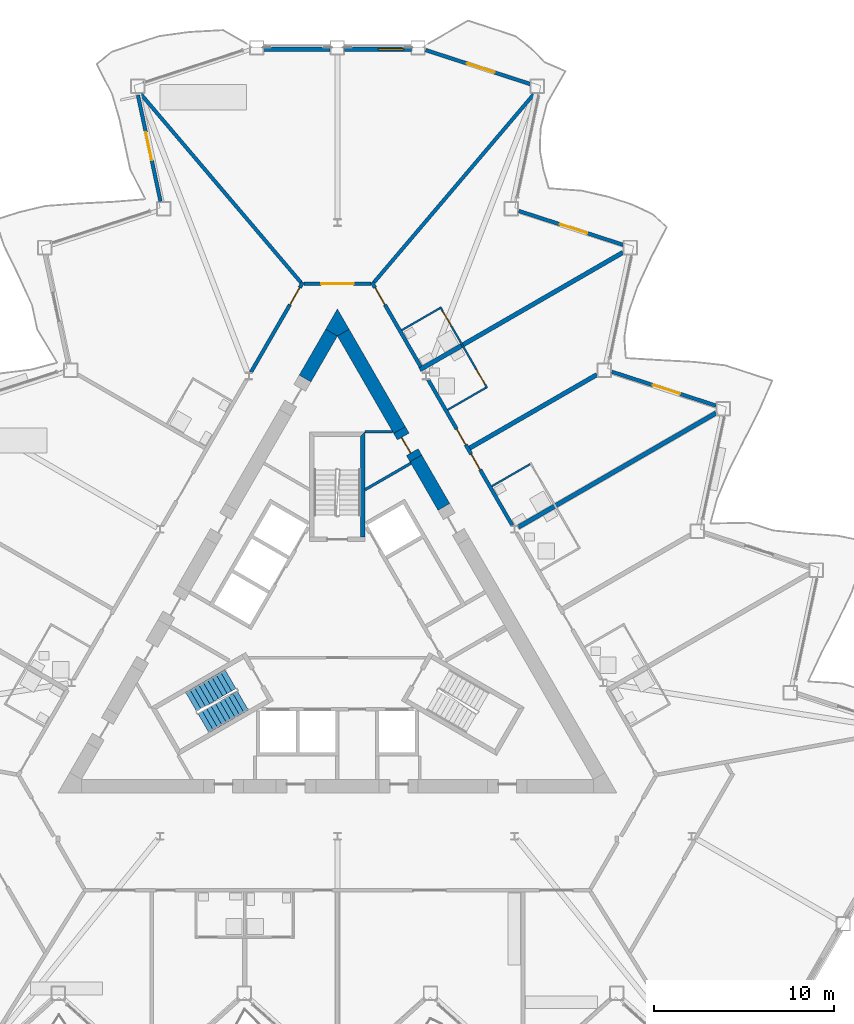
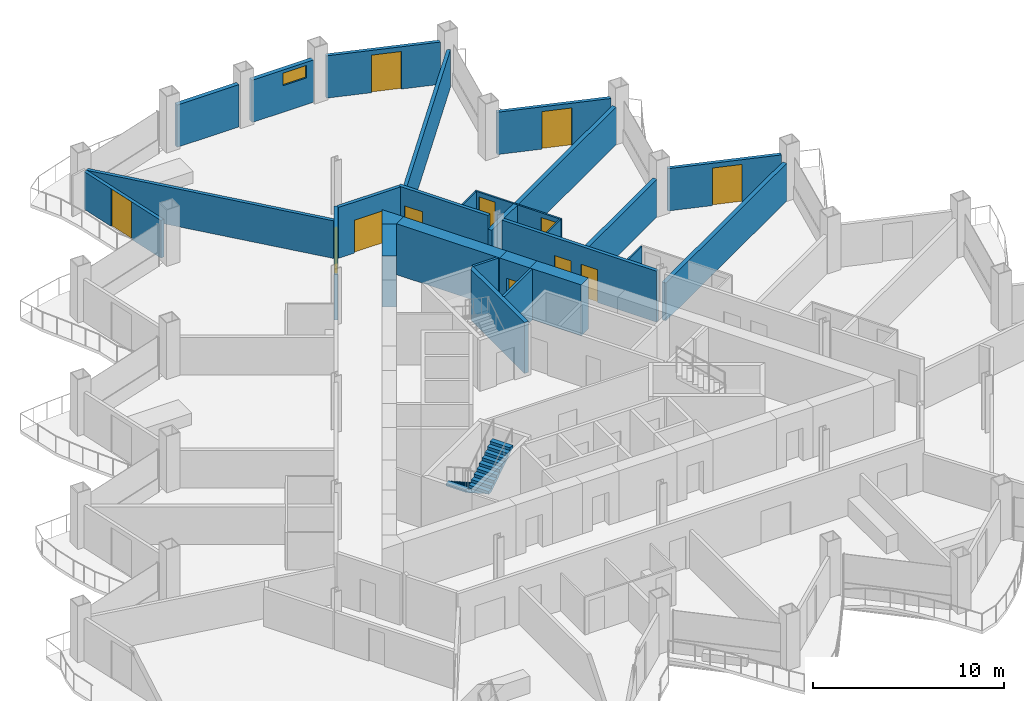
# One storey, part 15 of 24: 27 walls, 12 doors, 2 stair flights, 1 window, 13 openings, 1 element without a shape of its own.
"""IFC4 building model written with IfcOpenShell, lengths in metres."""

from ifc_helpers import new_model, si_unit, direction, frame, frame_2d, origin, place, context, subcontext, project, spatial, polyline, rectangle, outline, extrude, material, layer, layer_set, type_object, element, fill, aggregate, save


model = new_model("IFC4")

# Units and contexts
model_context = context("Model", 3, precision=1e-05, world=origin(), true_north=direction((0.0, 1.0)))
body_context = subcontext(model_context, "Body", "Model", "MODEL_VIEW")
ifc_project = project(units=[si_unit("LENGTHUNIT", "METRE"), si_unit("AREAUNIT", "SQUARE_METRE"), si_unit("VOLUMEUNIT", "CUBIC_METRE"), si_unit("PLANEANGLEUNIT", "RADIAN"), si_unit("MASSUNIT", "GRAM", prefix="KILO")], contexts=[model_context])

# Site, building, storey
site_placement = place(None, origin())
site = spatial("IfcSite", under=ifc_project, at=site_placement, CompositionType="ELEMENT")
building_placement = place(site_placement, origin())
building = spatial("IfcBuilding", under=site, at=building_placement, Name="Cormorant Prow Tower", CompositionType="ELEMENT")
storey_placement = place(building_placement, frame((0.0, 0.0, 201.60009765625)))
storey = spatial("IfcBuildingStorey", under=building, at=storey_placement, Name="L44", CompositionType="ELEMENT", Elevation=201.60009765625)

# Walls
ifc_material_1 = material(Name="Gypsum board partition")
ifc_layer_1 = layer(ifc_material_1, 0.14990234375)
ifc_layer_set_1 = layer_set([ifc_layer_1], Name="Gypsum board partition")
wall_type_1 = type_object("IfcWallType", Name="Core partition 150", PredefinedType="PARTITIONING", material=ifc_layer_set_1)
wall_1_placement = place(storey_placement, frame((4.0751953125, 9.33935546875, 0.0), z_axis=(0.0, 0.0, 1.0), x_axis=(-0.865995658863, -0.500051516177, 0.0)))
element("IfcWall", 1, at=wall_1_placement, inside=storey, type_object=wall_type_1, Name="Service room partition", PredefinedType="PARTITIONING", context=body_context, shape_type="SweptSolid", body=[
    extrude(rectangle(XDim=2.932861328125, YDim=0.14990234375, at=frame_2d((1.46630859375, 0.0))), origin(), (0.0, 0.0, 1.0), 3.25),
])
wall_2_placement = place(storey_placement, frame((1.5439453125, 11.0869140625, 0.0), z_axis=(0.0, 0.0, 1.0), x_axis=(1.0, 0.0, 0.0)))
element("IfcWall", 2, at=wall_2_placement, inside=storey, type_object=wall_type_1, Name="Service room partition", PredefinedType="PARTITIONING", context=body_context, shape_type="SweptSolid", body=[
    extrude(rectangle(XDim=1.5224609375, YDim=0.14990234375, at=frame_2d((0.76123046875, 0.0))), origin(), (0.0, 0.0, 1.0), 3.25),
])
ifc_material_2 = material(Name="Concrete 8000 psi", Category="concrete")
ifc_layer_2 = layer(ifc_material_2, 0.75)
ifc_layer_set_2 = layer_set([ifc_layer_2], Name="Concrete 8000 psi")
wall_type_2 = type_object("IfcWallType", Name="Core shear wall 750", PredefinedType="SHEAR", material=ifc_layer_set_2)
wall_3_placement = place(storey_placement, frame((3.4443359375, 11.181884765625, 0.0), z_axis=(0.0, 0.0, 1.0), x_axis=(-0.499985517215, 0.866033765263, 0.0)))
element("IfcWall", 3, at=wall_3_placement, inside=storey, type_object=wall_type_2, Name="Core wall", PredefinedType="SHEAR", context=body_context, shape_type="SweptSolid", body=[
    extrude(rectangle(XDim=6.239501953125, YDim=0.75, at=frame_2d((3.11962890625, 0.0))), origin(), (0.0, 0.0, 1.0), 3.25),
])
wall_4_placement = place(storey_placement, frame((5.906494140625, 6.917724609375, 0.0), z_axis=(0.0, 0.0, 1.0), x_axis=(-0.500017123375, 0.866015517374, 0.0)))
element("IfcWall", 4, at=wall_4_placement, inside=storey, type_object=wall_type_2, Name="Core wall", PredefinedType="SHEAR", context=body_context, shape_type="SweptSolid", body=[
    extrude(rectangle(XDim=3.10791015625, YDim=0.75, at=frame_2d((1.553955078125, 0.0))), origin(), (0.0, 0.0, 1.0), 3.25),
])
wall_5_placement = place(storey_placement, frame((-0.32470703125, 16.58544921875, 0.0), z_axis=(0.0, 0.0, 1.0), x_axis=(-0.500026977578, -0.866009827712, 0.0)))
element("IfcWall", 5, at=wall_5_placement, inside=storey, type_object=wall_type_2, Name="Core wall", PredefinedType="SHEAR", context=body_context, shape_type="SweptSolid", body=[
    extrude(rectangle(XDim=2.937744140625, YDim=0.75, at=frame_2d((1.46875, 0.0))), origin(), (0.0, 0.0, 1.0), 3.25),
])
wall_6_placement = place(storey_placement, origin())
element("IfcWall", 6, at=wall_6_placement, inside=storey, type_object=wall_type_2, Name="Core wall corner", PredefinedType="SHEAR", context=body_context, shape_type="SweptSolid", body=[
    extrude(outline(polyline([(-0.6494140625, 16.77294921875), (0.0, 17.89794921875), (0.6494140625, 16.77294921875), (0.0, 16.39794921875), (-0.6494140625, 16.77294921875)])), origin(), (0.0, 0.0, 1.0), 3.25),
])

# Wall, opening, door
wall_7_placement = place(storey_placement, frame((4.3525390625, 9.609130859375, 0.0), z_axis=(0.0, 0.0, 1.0), x_axis=(-0.500071537347, 0.865984097738, 0.0)))
wall_7 = element("IfcWall", 7, at=wall_7_placement, inside=storey, type_object=wall_type_2, Name="Core wall door panel", PredefinedType="SHEAR", context=body_context, shape_type="SweptSolid", body=[
    extrude(rectangle(XDim=1.816162109375, YDim=0.75, at=frame_2d((0.908203125, 0.0))), origin(), (0.0, 0.0, 1.0), 3.25),
])
opening_1_placement = place(wall_7_placement, frame((0.39990234375, 0.0, 0.0)))
opening_1 = element("IfcOpeningElement", 8, at=opening_1_placement, cuts=wall_7, Name="Opening L44-C23", PredefinedType="OPENING", context=body_context, shape_type="SweptSolid", body=[
    extrude(rectangle(XDim=1.0, YDim=2.10009765625, at=frame_2d((0.5, 1.050048828125))), frame((0.0, 0.385009765625, 0.0), z_axis=(0.0, -1.0, 0.0), x_axis=(1.0, 0.0, 0.0)), (0.0, 0.0, 1.0), 0.77001953125),
])
ifc_material_3 = material(Name="Painted steel", Category="steel")
door_type_1 = type_object("IfcDoorType", Name="Service door 1000x2100", OperationType="NOTDEFINED", PredefinedType="DOOR", material=ifc_material_3)
door_1_placement = place(opening_1_placement, origin())
door_1 = element("IfcDoor", 9, at=door_1_placement, inside=storey, type_object=door_type_1, Name="Core door, Mechanical riser room", OperationType="SINGLE_SWING_LEFT", OverallHeight=2.10009765625, OverallWidth=1.0, PredefinedType="DOOR", context=body_context, shape_type="SweptSolid", body=[
    extrude(rectangle(XDim=1.0, YDim=2.10009765625, at=frame_2d((0.5, 1.050048828125))), frame((0.0, 0.1298828125, 0.0), z_axis=(0.0, -1.0, 0.0), x_axis=(1.0, 0.0, 0.0)), (0.0, 0.0, 1.0), 0.050048828125),
])
fill(opening_1, door_1)

# Wall, openings, doors
ifc_material_4 = material(Name="Gypsum board corridor wall")
ifc_layer_3 = layer(ifc_material_4, 0.199951171875)
ifc_layer_set_3 = layer_set([ifc_layer_3], Name="Gypsum board corridor wall")
wall_type_3 = type_object("IfcWallType", Name="Corridor wall 200", PredefinedType="PARTITIONING", material=ifc_layer_set_3)
wall_8_placement = place(storey_placement, frame((5.03759765625, 13.972412109375, 0.0), z_axis=(0.0, 0.0, 1.0), x_axis=(0.50000393355, -0.866023132736, 0.0)))
wall_8 = element("IfcWall", 10, at=wall_8_placement, inside=storey, type_object=wall_type_3, Name="Corridor wall", PredefinedType="PARTITIONING", context=body_context, shape_type="SweptSolid", body=[
    extrude(rectangle(XDim=9.3349609375, YDim=0.199951171875, at=frame_2d((4.66748046875, 0.0))), origin(), (0.0, 0.0, 1.0), 3.25),
])
opening_2_placement = place(wall_8_placement, frame((4.770263671875, 0.0, 0.0)))
opening_2 = element("IfcOpeningElement", 11, at=opening_2_placement, cuts=wall_8, Name="Opening L44-F16", PredefinedType="OPENING", context=body_context, shape_type="SweptSolid", body=[
    extrude(rectangle(XDim=1.0, YDim=2.10009765625, at=frame_2d((0.5, 1.050048828125))), frame((0.0, 0.10986328125, 0.0), z_axis=(0.0, -1.0, 0.0), x_axis=(1.0, 0.0, 0.0)), (0.0, 0.0, 1.0), 0.219970703125),
])
opening_3_placement = place(wall_8_placement, frame((3.1630859375, 0.0, 0.0)))
opening_3 = element("IfcOpeningElement", 12, at=opening_3_placement, cuts=wall_8, Name="Opening L44-F18", PredefinedType="OPENING", context=body_context, shape_type="SweptSolid", body=[
    extrude(rectangle(XDim=1.0, YDim=2.10009765625, at=frame_2d((0.5, 1.050048828125))), frame((0.0, 0.10986328125, 0.0), z_axis=(0.0, -1.0, 0.0), x_axis=(1.0, 0.0, 0.0)), (0.0, 0.0, 1.0), 0.219970703125),
])
ifc_material_5 = material(Name="Timber door leaf", Category="wood")
door_type_2 = type_object("IfcDoorType", Name="Flat or room entrance door 1000x2100", OperationType="NOTDEFINED", PredefinedType="DOOR", material=ifc_material_5)
door_2_placement = place(opening_2_placement, origin())
door_2 = element("IfcDoor", 13, at=door_2_placement, inside=storey, type_object=door_type_2, Name="Guest room door", OperationType="SINGLE_SWING_LEFT", OverallHeight=2.10009765625, OverallWidth=1.0, PredefinedType="DOOR", context=body_context, shape_type="SweptSolid", body=[
    extrude(rectangle(XDim=1.0, YDim=2.10009765625, at=frame_2d((0.5, 1.050048828125))), frame((0.0, 0.02490234375, 0.0), z_axis=(0.0, -1.0, 0.0), x_axis=(1.0, 0.0, 0.0)), (0.0, 0.0, 1.0), 0.050048828125),
])
fill(opening_2, door_2)
door_3_placement = place(opening_3_placement, origin())
door_3 = element("IfcDoor", 14, at=door_3_placement, inside=storey, type_object=door_type_2, Name="Guest room door", OperationType="SINGLE_SWING_RIGHT", OverallHeight=2.10009765625, OverallWidth=1.0, PredefinedType="DOOR", context=body_context, shape_type="SweptSolid", body=[
    extrude(rectangle(XDim=1.0, YDim=2.10009765625, at=frame_2d((0.5, 1.050048828125))), frame((0.0, 0.02490234375, 0.0), z_axis=(0.0, -1.0, 0.0), x_axis=(1.0, 0.0, 0.0)), (0.0, 0.0, 1.0), 0.050048828125),
])
fill(opening_3, door_3)

# Wall, opening, door
wall_9_placement = place(storey_placement, frame((-4.791015625, 14.39990234375, 0.0), z_axis=(0.0, 0.0, 1.0), x_axis=(0.50000762079, 0.866021003874, 0.0)))
wall_9 = element("IfcWall", 15, at=wall_9_placement, inside=storey, type_object=wall_type_3, Name="Corridor wall", PredefinedType="PARTITIONING", context=body_context, shape_type="SweptSolid", body=[
    extrude(rectangle(XDim=5.755859375, YDim=0.199951171875, at=frame_2d((2.8779296875, 0.0))), origin(), (0.0, 0.0, 1.0), 3.25),
])
opening_4_placement = place(wall_9_placement, frame((4.304443359375, 0.0, 0.0)))
opening_4 = element("IfcOpeningElement", 16, at=opening_4_placement, cuts=wall_9, Name="Opening L44-F23", PredefinedType="OPENING", context=body_context, shape_type="SweptSolid", body=[
    extrude(rectangle(XDim=1.10009765625, YDim=2.10009765625, at=frame_2d((0.550048828125, 1.050048828125))), frame((0.0, 0.10986328125, 0.0), z_axis=(0.0, -1.0, 0.0), x_axis=(1.0, 0.0, 0.0)), (0.0, 0.0, 1.0), 0.219970703125),
])
ifc_material_6 = material(Name="Timber door leaf", Category="wood")
door_type_3 = type_object("IfcDoorType", Name="Suite entrance door 1100x2100", OperationType="NOTDEFINED", PredefinedType="DOOR", material=ifc_material_6)
door_4_placement = place(opening_4_placement, origin())
door_4 = element("IfcDoor", 17, at=door_4_placement, inside=storey, type_object=door_type_3, Name="Executive suite bedroom door", OperationType="SINGLE_SWING_RIGHT", OverallHeight=2.10009765625, OverallWidth=1.10009765625, PredefinedType="DOOR", context=body_context, shape_type="SweptSolid", body=[
    extrude(rectangle(XDim=1.10009765625, YDim=2.10009765625, at=frame_2d((0.550048828125, 1.050048828125))), frame((0.0, 0.02490234375, 0.0), z_axis=(0.0, -1.0, 0.0), x_axis=(1.0, 0.0, 0.0)), (0.0, 0.0, 1.0), 0.050048828125),
])
fill(opening_4, door_4)

wall_10_placement = place(storey_placement, frame((1.9130859375, 19.384521484375, 0.0), z_axis=(0.0, 0.0, 1.0), x_axis=(0.499961611314, -0.866047566368, 0.0)))
wall_10 = element("IfcWall", 18, at=wall_10_placement, inside=storey, type_object=wall_type_3, Name="Corridor wall", PredefinedType="PARTITIONING", context=body_context, shape_type="SweptSolid", body=[
    extrude(rectangle(XDim=5.419921875, YDim=0.199951171875, at=frame_2d((2.7099609375, 0.0))), origin(), (0.0, 0.0, 1.0), 3.25),
])
opening_5_placement = place(wall_10_placement, frame((0.3505859375, 0.0, 0.0)))
opening_5 = element("IfcOpeningElement", 19, at=opening_5_placement, cuts=wall_10, Name="Opening L44-F20", PredefinedType="OPENING", context=body_context, shape_type="SweptSolid", body=[
    extrude(rectangle(XDim=1.10009765625, YDim=2.10009765625, at=frame_2d((0.550048828125, 1.050048828125))), frame((0.0, 0.10986328125, 0.0), z_axis=(0.0, -1.0, 0.0), x_axis=(1.0, 0.0, 0.0)), (0.0, 0.0, 1.0), 0.219970703125),
])
door_5_placement = place(opening_5_placement, origin())
door_5 = element("IfcDoor", 20, at=door_5_placement, inside=storey, type_object=door_type_3, Name="Junior suite door", OperationType="SINGLE_SWING_LEFT", OverallHeight=2.10009765625, OverallWidth=1.10009765625, PredefinedType="DOOR", context=body_context, shape_type="SweptSolid", body=[
    extrude(rectangle(XDim=1.10009765625, YDim=2.10009765625, at=frame_2d((0.550048828125, 1.050048828125))), frame((0.0, 0.02490234375, 0.0), z_axis=(0.0, -1.0, 0.0), x_axis=(1.0, 0.0, 0.0)), (0.0, 0.0, 1.0), 0.050048828125),
])
fill(opening_5, door_5)

wall_11_placement = place(storey_placement, frame((-1.863037109375, 19.2978515625, 0.0), z_axis=(0.0, 0.0, 1.0), x_axis=(1.0, 0.0, 0.0)))
wall_11 = element("IfcWall", 21, at=wall_11_placement, inside=storey, type_object=wall_type_3, Name="Corridor wall", PredefinedType="PARTITIONING", context=body_context, shape_type="SweptSolid", body=[
    extrude(rectangle(XDim=3.72607421875, YDim=0.199951171875, at=frame_2d((1.863037109375, 0.0))), origin(), (0.0, 0.0, 1.0), 3.25),
])
opening_6_placement = place(wall_11_placement, frame((0.962890625, 0.0, 0.0)))
opening_6 = element("IfcOpeningElement", 22, at=opening_6_placement, cuts=wall_11, Name="Opening L44-F22", PredefinedType="OPENING", context=body_context, shape_type="SweptSolid", body=[
    extrude(rectangle(XDim=1.800048828125, YDim=2.10009765625, at=frame_2d((0.89990234375, 1.050048828125))), frame((0.0, 0.10986328125, 0.0), z_axis=(0.0, -1.0, 0.0), x_axis=(1.0, 0.0, 0.0)), (0.0, 0.0, 1.0), 0.219970703125),
])
ifc_material_7 = material(Name="Timber door leaf", Category="wood")
door_type_4 = type_object("IfcDoorType", Name="Double door 1800x2100", OperationType="DOUBLE_DOOR_SINGLE_SWING", PredefinedType="DOOR", material=ifc_material_7)
door_6_placement = place(opening_6_placement, origin())
door_6 = element("IfcDoor", 23, at=door_6_placement, inside=storey, type_object=door_type_4, Name="Co-working space door", OperationType="DOUBLE_DOOR_SINGLE_SWING", OverallHeight=2.10009765625, OverallWidth=1.800048828125, PredefinedType="DOOR", context=body_context, shape_type="SweptSolid", body=[
    extrude(rectangle(XDim=1.800048828125, YDim=2.10009765625, at=frame_2d((0.89990234375, 1.050048828125))), frame((0.0, 0.02490234375, 0.0), z_axis=(0.0, -1.0, 0.0), x_axis=(1.0, 0.0, 0.0)), (0.0, 0.0, 1.0), 0.050048828125),
])
fill(opening_6, door_6)

# Walls
ifc_material_8 = material(Name="Gypsum board demising wall")
ifc_layer_4 = layer(ifc_material_8, 0.199951171875)
ifc_layer_set_4 = layer_set([ifc_layer_4], Name="Gypsum board demising wall")
wall_type_4 = type_object("IfcWallType", Name="Demising wall 200", PredefinedType="PARTITIONING", material=ifc_layer_set_4)
for number, where, z_axis, x_axis, name in (
    (24, (2.02783203125, 19.3740234375, 0.0), (0.0, 0.0, 1.0), (0.647497756192, 0.762067356423, 0.0), "Demising wall"),
    (25, (-10.921875, 29.841796875, 0.0), (0.0, 0.0, 1.0), (0.647497756192, -0.762067356423, 0.0), "Demising wall"),
):
    element("IfcWall", number, at=place(storey_placement, frame(where, z_axis=z_axis, x_axis=x_axis)), inside=storey, type_object=wall_type_4, Name=name, PredefinedType="PARTITIONING", context=body_context, shape_type="SweptSolid", body=[
        extrude(rectangle(XDim=13.736083984375, YDim=0.199951171875, at=frame_2d((6.8681640625, 0.0))), origin(), (0.0, 0.0, 1.0), 2.404052734375),
    ])

# Wall, openings, doors
ifc_material_9 = material(Name="Gypsum board partition")
ifc_layer_5 = layer(ifc_material_9, 0.10009765625)
ifc_layer_set_5 = layer_set([ifc_layer_5], Name="Gypsum board partition")
wall_type_5 = type_object("IfcWallType", Name="Internal partition 100", PredefinedType="PARTITIONING", material=ifc_layer_set_5)
wall_12_placement = place(storey_placement, frame((5.70703125, 18.012939453125, 0.0), z_axis=(0.0, 0.0, 1.0), x_axis=(0.500006934395, -0.866021400173, 0.0)))
wall_12 = element("IfcWall", 26, at=wall_12_placement, inside=storey, type_object=wall_type_5, Name="Internal partition", PredefinedType="PARTITIONING", context=body_context, shape_type="SweptSolid", body=[
    extrude(rectangle(XDim=5.2001953125, YDim=0.10009765625, at=frame_2d((2.60009765625, 0.0))), origin(), (0.0, 0.0, 1.0), 2.404052734375),
])
opening_7_placement = place(wall_12_placement, frame((4.0, 0.0, 0.0)))
opening_7 = element("IfcOpeningElement", 27, at=opening_7_placement, cuts=wall_12, Name="Opening L44-F19", PredefinedType="OPENING", context=body_context, shape_type="SweptSolid", body=[
    extrude(rectangle(XDim=0.949951171875, YDim=2.10009765625, at=frame_2d((0.47509765625, 1.050048828125))), frame((0.0, 0.06005859375, 0.0), z_axis=(0.0, -1.0, 0.0), x_axis=(1.0, 0.0, 0.0)), (0.0, 0.0, 1.0), 0.1201171875),
])
opening_8_placement = place(wall_12_placement, frame((0.25, 0.0, 0.0)))
opening_8 = element("IfcOpeningElement", 28, at=opening_8_placement, cuts=wall_12, Name="Opening L44-F21", PredefinedType="OPENING", context=body_context, shape_type="SweptSolid", body=[
    extrude(rectangle(XDim=0.949951171875, YDim=2.10009765625, at=frame_2d((0.47509765625, 1.050048828125))), frame((0.0, 0.06005859375, 0.0), z_axis=(0.0, -1.0, 0.0), x_axis=(1.0, 0.0, 0.0)), (0.0, 0.0, 1.0), 0.1201171875),
])
ifc_material_10 = material(Name="Timber door leaf", Category="wood")
door_type_5 = type_object("IfcDoorType", Name="Bathroom door 950x2100", OperationType="NOTDEFINED", PredefinedType="DOOR", material=ifc_material_10)
door_7_placement = place(opening_7_placement, origin())
door_7 = element("IfcDoor", 29, at=door_7_placement, inside=storey, type_object=door_type_5, Name="Guest room door", OperationType="SINGLE_SWING_RIGHT", OverallHeight=2.10009765625, OverallWidth=0.949951171875, PredefinedType="DOOR", context=body_context, shape_type="SweptSolid", body=[
    extrude(rectangle(XDim=0.949951171875, YDim=2.10009765625, at=frame_2d((0.47509765625, 1.050048828125))), frame((0.0, 0.02490234375, 0.0), z_axis=(0.0, -1.0, 0.0), x_axis=(1.0, 0.0, 0.0)), (0.0, 0.0, 1.0), 0.050048828125),
])
fill(opening_7, door_7)
door_8_placement = place(opening_8_placement, origin())
door_8 = element("IfcDoor", 30, at=door_8_placement, inside=storey, type_object=door_type_5, Name="Junior suite door", OperationType="SINGLE_SWING_LEFT", OverallHeight=2.10009765625, OverallWidth=0.949951171875, PredefinedType="DOOR", context=body_context, shape_type="SweptSolid", body=[
    extrude(rectangle(XDim=0.949951171875, YDim=2.10009765625, at=frame_2d((0.47509765625, 1.050048828125))), frame((0.0, 0.02490234375, 0.0), z_axis=(0.0, -1.0, 0.0), x_axis=(1.0, 0.0, 0.0)), (0.0, 0.0, 1.0), 0.050048828125),
])
fill(opening_8, door_8)

# Walls
for number, where, z_axis, x_axis, name in (
    (31, (6.116943359375, 12.302734375, 0.0), (0.0, 0.0, 1.0), (0.866014668023, 0.500018594424, 0.0), "Internal partition"),
    (32, (3.56689453125, 16.719482421875, 0.0), (0.0, 0.0, 1.0), (0.866014668023, 0.500018594424, 0.0), "Internal partition"),
):
    element("IfcWall", number, at=place(storey_placement, frame(where, z_axis=z_axis, x_axis=x_axis)), inside=storey, type_object=wall_type_5, Name=name, PredefinedType="PARTITIONING", context=body_context, shape_type="SweptSolid", body=[
        extrude(rectangle(XDim=2.4501953125, YDim=0.10009765625, at=frame_2d((1.22509765625, 0.0))), origin(), (0.0, 0.0, 1.0), 2.404052734375),
    ])
wall_13_placement = place(storey_placement, frame((8.565185546875, 8.062744140625, 0.0), z_axis=(0.0, 0.0, 1.0), x_axis=(0.866032905446, 0.499987006516, 0.0)))
element("IfcWall", 33, at=wall_13_placement, inside=storey, type_object=wall_type_5, Name="Internal partition", PredefinedType="PARTITIONING", context=body_context, shape_type="SweptSolid", body=[
    extrude(rectangle(XDim=2.44970703125, YDim=0.10009765625, at=frame_2d((1.224853515625, 0.0))), origin(), (0.0, 0.0, 1.0), 2.404052734375),
])
ifc_material_11 = material(Name="Concrete 8000 psi", Category="concrete")
ifc_layer_6 = layer(ifc_material_11, 0.25)
ifc_layer_set_6 = layer_set([ifc_layer_6], Name="Concrete 8000 psi")
wall_type_6 = type_object("IfcWallType", Name="Stair wall 250", PredefinedType="SHEAR", material=ifc_layer_set_6)
wall_14_placement = place(storey_placement, origin())
element("IfcWall", 34, at=wall_14_placement, inside=storey, type_object=wall_type_6, Name="Stair ST3 enclosure wall (flank)", PredefinedType="SHEAR", context=body_context, shape_type="SweptSolid", body=[
    extrude(outline(polyline([(1.5439453125, 5.23681640625), (1.5439453125, 11.0869140625), (1.2939453125, 10.8369140625), (1.2939453125, 5.23681640625), (1.5439453125, 5.23681640625)])), origin(), (0.0, 0.0, 1.0), 3.25),
])
ifc_material_12 = material(Name="Acoustic gypsum party wall")
ifc_layer_7 = layer(ifc_material_12, 0.25)
ifc_layer_set_7 = layer_set([ifc_layer_7], Name="Acoustic gypsum party wall")
wall_type_7 = type_object("IfcWallType", Name="Suite party wall 250", PredefinedType="PARTITIONING", material=ifc_layer_set_7)
wall_15_placement = place(storey_placement, frame((4.572265625, 14.528564453125, 0.0), z_axis=(0.0, 0.0, 1.0), x_axis=(0.866023333059, 0.500003586584, 0.0)))
element("IfcWall", 35, at=wall_15_placement, inside=storey, type_object=wall_type_7, Name="Suite party wall", PredefinedType="PARTITIONING", context=body_context, shape_type="SweptSolid", body=[
    extrude(rectangle(XDim=13.0048828125, YDim=0.25, at=frame_2d((6.50244140625, 0.0))), origin(), (0.0, 0.0, 1.0), 2.404052734375),
])
wall_16_placement = place(storey_placement, frame((10.042236328125, 5.7978515625, 0.0), z_axis=(0.0, 0.0, 1.0), x_axis=(0.866025883649, 0.499999168849, 0.0)))
element("IfcWall", 36, at=wall_16_placement, inside=storey, type_object=wall_type_7, Name="Suite party wall", PredefinedType="PARTITIONING", context=body_context, shape_type="SweptSolid", body=[
    extrude(rectangle(XDim=12.65234375, YDim=0.25, at=frame_2d((6.326171875, 0.0))), origin(), (0.0, 0.0, 1.0), 2.404052734375),
])
wall_17_placement = place(storey_placement, frame((7.341064453125, 10.182861328125, 0.0), z_axis=(0.0, 0.0, 1.0), x_axis=(0.866028741424, 0.499994218994, 0.0)))
element("IfcWall", 37, at=wall_17_placement, inside=storey, type_object=wall_type_7, Name="Suite party wall", PredefinedType="PARTITIONING", context=body_context, shape_type="SweptSolid", body=[
    extrude(rectangle(XDim=8.13916015625, YDim=0.25, at=frame_2d((4.069580078125, 0.0))), origin(), (0.0, 0.0, 1.0), 2.404052734375),
])

# Wall, opening, window
ifc_material_13 = material(Name="Terracotta", Category="masonry")
ifc_layer_8 = layer(ifc_material_13, 0.25)
ifc_layer_set_8 = layer_set([ifc_layer_8], Name="Terracotta")
wall_type_8 = type_object("IfcWallType", Name="Terracotta bay wall 250", PredefinedType="SOLIDWALL", material=ifc_layer_set_8)
wall_18_placement = place(storey_placement, frame((4.125, 32.306640625, 0.0), z_axis=(0.0, 0.0, 1.0), x_axis=(-1.0, 0.0, 0.0)))
wall_18 = element("IfcWall", 38, at=wall_18_placement, inside=storey, type_object=wall_type_8, Name="Terracotta bay wall N00", PredefinedType="SOLIDWALL", context=body_context, shape_type="SweptSolid", body=[
    extrude(rectangle(XDim=3.72509765625, YDim=0.25, at=frame_2d((1.862548828125, 0.0))), origin(), (0.0, 0.0, 1.0), 2.70068359375),
])
opening_9_placement = place(wall_18_placement, frame((0.449951171875, 0.0, 1.699951171875)))
opening_9 = element("IfcOpeningElement", 39, at=opening_9_placement, cuts=wall_18, Name="Opening WN3", PredefinedType="OPENING", context=body_context, shape_type="SweptSolid", body=[
    extrude(rectangle(XDim=1.39990234375, YDim=0.800048828125, at=frame_2d((0.699951171875, 0.39990234375))), frame((0.0, 0.135009765625, 0.0), z_axis=(0.0, -1.0, 0.0), x_axis=(1.0, 0.0, 0.0)), (0.0, 0.0, 1.0), 0.27001953125),
])
ifc_material_14 = material(Name="Aluminium 6063-T6", Category="aluminium")
window_type = type_object("IfcWindowType", Name="Corner bay window 1400x800", PartitioningType="SINGLE_PANEL", PredefinedType="WINDOW", material=ifc_material_14)
window_placement = place(opening_9_placement, origin())
window = element("IfcWindow", 40, at=window_placement, inside=storey, type_object=window_type, Name="Corner bay window N00", OverallHeight=0.800048828125, OverallWidth=1.39990234375, PartitioningType="SINGLE_PANEL", PredefinedType="WINDOW", context=body_context, shape_type="SweptSolid", body=[
    extrude(rectangle(XDim=1.39990234375, YDim=0.800048828125, at=frame_2d((0.699951171875, 0.39990234375))), frame((0.0, 0.030029296875, 0.0), z_axis=(0.0, -1.0, 0.0), x_axis=(1.0, 0.0, 0.0)), (0.0, 0.0, 1.0), 0.06005859375),
])
fill(opening_9, window)

# Wall
wall_19_placement = place(storey_placement, frame((-0.39990234375, 32.306640625, 0.0), z_axis=(0.0, 0.0, 1.0), x_axis=(-1.0, 0.0, 0.0)))
element("IfcWall", 41, at=wall_19_placement, inside=storey, type_object=wall_type_8, Name="Terracotta bay wall N01", PredefinedType="SOLIDWALL", context=body_context, shape_type="SweptSolid", body=[
    extrude(rectangle(XDim=3.72509765625, YDim=0.25, at=frame_2d((1.862548828125, 0.0))), origin(), (0.0, 0.0, 1.0), 2.70068359375),
])

# Wall, opening, door
ifc_material_15 = material(Name="Terracotta", Category="masonry")
ifc_layer_9 = layer(ifc_material_15, 0.199951171875)
ifc_layer_set_9 = layer_set([ifc_layer_9], Name="Terracotta")
wall_type_9 = type_object("IfcWallType", Name="Terracotta jamb wall 200", PredefinedType="SOLIDWALL", material=ifc_layer_set_9)
wall_20_placement = place(storey_placement, frame((21.006103515625, 12.5380859375, 0.0), z_axis=(0.0, 0.0, 1.0), x_axis=(-0.951049709595, 0.309037942458, 0.0)))
wall_20 = element("IfcWall", 42, at=wall_20_placement, inside=storey, type_object=wall_type_9, Name="Terracotta jamb wall ENE05", PredefinedType="SOLIDWALL", context=body_context, shape_type="SweptSolid", body=[
    extrude(rectangle(XDim=6.0791015625, YDim=0.199951171875, at=frame_2d((3.03955078125, 0.0))), origin(), (0.0, 0.0, 1.0), 2.70068359375),
])
opening_10_placement = place(wall_20_placement, frame((2.095703125, 0.0, 0.0)))
opening_10 = element("IfcOpeningElement", 43, at=opening_10_placement, cuts=wall_20, Name="Opening ED44.08", PredefinedType="OPENING", context=body_context, shape_type="SweptSolid", body=[
    extrude(rectangle(XDim=1.60009765625, YDim=2.39990234375, at=frame_2d((0.800048828125, 1.199951171875))), frame((0.0, 0.10986328125, 0.0), z_axis=(0.0, -1.0, 0.0), x_axis=(1.0, 0.0, 0.0)), (0.0, 0.0, 1.0), 0.219970703125),
])
ifc_material_16 = material(Name="Aluminium 6063-T6", Category="aluminium")
door_type_6 = type_object("IfcDoorType", Name="Balcony door 1600x2400", OperationType="DOUBLE_DOOR_SINGLE_SWING", PredefinedType="DOOR", material=ifc_material_16)
door_9_placement = place(opening_10_placement, origin())
door_9 = element("IfcDoor", 44, at=door_9_placement, inside=storey, type_object=door_type_6, Name="Balcony door ENE05 ED44.08", OperationType="DOUBLE_DOOR_SINGLE_SWING", OverallHeight=2.39990234375, OverallWidth=1.60009765625, PredefinedType="DOOR", context=body_context, shape_type="SweptSolid", body=[
    extrude(rectangle(XDim=1.60009765625, YDim=2.39990234375, at=frame_2d((0.800048828125, 1.199951171875))), frame((0.0, 0.02490234375, 0.0), z_axis=(0.0, -1.0, 0.0), x_axis=(1.0, 0.0, 0.0)), (0.0, 0.0, 1.0), 0.050048828125),
])
fill(opening_10, door_9)

wall_21_placement = place(storey_placement, frame((15.858154296875, 21.454833984375, 0.0), z_axis=(0.0, 0.0, 1.0), x_axis=(-0.951066434465, 0.308986467719, 0.0)))
wall_21 = element("IfcWall", 45, at=wall_21_placement, inside=storey, type_object=wall_type_9, Name="Terracotta jamb wall ENE07", PredefinedType="SOLIDWALL", context=body_context, shape_type="SweptSolid", body=[
    extrude(rectangle(XDim=6.0966796875, YDim=0.199951171875, at=frame_2d((3.04833984375, 0.0))), origin(), (0.0, 0.0, 1.0), 2.70068359375),
])
opening_11_placement = place(wall_21_placement, frame((2.095703125, 0.0, 0.0)))
opening_11 = element("IfcOpeningElement", 46, at=opening_11_placement, cuts=wall_21, Name="Opening ED44.09", PredefinedType="OPENING", context=body_context, shape_type="SweptSolid", body=[
    extrude(rectangle(XDim=1.60009765625, YDim=2.39990234375, at=frame_2d((0.800048828125, 1.199951171875))), frame((0.0, 0.10986328125, 0.0), z_axis=(0.0, -1.0, 0.0), x_axis=(1.0, 0.0, 0.0)), (0.0, 0.0, 1.0), 0.219970703125),
])
door_10_placement = place(opening_11_placement, origin())
door_10 = element("IfcDoor", 47, at=door_10_placement, inside=storey, type_object=door_type_6, Name="Balcony door ENE07 ED44.09", OperationType="DOUBLE_DOOR_SINGLE_SWING", OverallHeight=2.39990234375, OverallWidth=1.60009765625, PredefinedType="DOOR", context=body_context, shape_type="SweptSolid", body=[
    extrude(rectangle(XDim=1.60009765625, YDim=2.39990234375, at=frame_2d((0.800048828125, 1.199951171875))), frame((0.0, 0.02490234375, 0.0), z_axis=(0.0, -1.0, 0.0), x_axis=(1.0, 0.0, 0.0)), (0.0, 0.0, 1.0), 0.050048828125),
])
fill(opening_11, door_10)

wall_22_placement = place(storey_placement, frame((10.710205078125, 30.371337890625, 0.0), z_axis=(0.0, 0.0, 1.0), x_axis=(-0.951055780789, 0.30901925802, 0.0)))
wall_22 = element("IfcWall", 48, at=wall_22_placement, inside=storey, type_object=wall_type_9, Name="Terracotta jamb wall ENE09", PredefinedType="SOLIDWALL", context=body_context, shape_type="SweptSolid", body=[
    extrude(rectangle(XDim=6.1142578125, YDim=0.199951171875, at=frame_2d((3.05712890625, 0.0))), origin(), (0.0, 0.0, 1.0), 2.70068359375),
])
opening_12_placement = place(wall_22_placement, frame((2.095703125, 0.0, 0.0)))
opening_12 = element("IfcOpeningElement", 49, at=opening_12_placement, cuts=wall_22, Name="Opening ED44.10", PredefinedType="OPENING", context=body_context, shape_type="SweptSolid", body=[
    extrude(rectangle(XDim=1.60009765625, YDim=2.39990234375, at=frame_2d((0.800048828125, 1.199951171875))), frame((0.0, 0.10986328125, 0.0), z_axis=(0.0, -1.0, 0.0), x_axis=(1.0, 0.0, 0.0)), (0.0, 0.0, 1.0), 0.219970703125),
])
door_11_placement = place(opening_12_placement, origin())
door_11 = element("IfcDoor", 50, at=door_11_placement, inside=storey, type_object=door_type_6, Name="Balcony door ENE09 ED44.10", OperationType="DOUBLE_DOOR_SINGLE_SWING", OverallHeight=2.39990234375, OverallWidth=1.60009765625, PredefinedType="DOOR", context=body_context, shape_type="SweptSolid", body=[
    extrude(rectangle(XDim=1.60009765625, YDim=2.39990234375, at=frame_2d((0.800048828125, 1.199951171875))), frame((0.0, 0.02490234375, 0.0), z_axis=(0.0, -1.0, 0.0), x_axis=(1.0, 0.0, 0.0)), (0.0, 0.0, 1.0), 0.050048828125),
])
fill(opening_12, door_11)

wall_23_placement = place(storey_placement, frame((-11.0654296875, 29.756103515625, 0.0), z_axis=(0.0, 0.0, 1.0), x_axis=(0.207907768613, -0.978148434416, 0.0)))
wall_23 = element("IfcWall", 51, at=wall_23_placement, inside=storey, type_object=wall_type_9, Name="Terracotta jamb wall WNW01", PredefinedType="SOLIDWALL", context=body_context, shape_type="SweptSolid", body=[
    extrude(rectangle(XDim=6.01708984375, YDim=0.199951171875, at=frame_2d((3.008544921875, 0.0))), origin(), (0.0, 0.0, 1.0), 2.404052734375),
])
opening_13_placement = place(wall_23_placement, frame((2.095703125, 0.0, 0.0)))
opening_13 = element("IfcOpeningElement", 52, at=opening_13_placement, cuts=wall_23, Name="Opening ED44.11", PredefinedType="OPENING", context=body_context, shape_type="SweptSolid", body=[
    extrude(rectangle(XDim=1.60009765625, YDim=2.39990234375, at=frame_2d((0.800048828125, 1.199951171875))), frame((0.0, 0.10986328125, 0.0), z_axis=(0.0, -1.0, 0.0), x_axis=(1.0, 0.0, 0.0)), (0.0, 0.0, 1.0), 0.219970703125),
])
door_12_placement = place(opening_13_placement, origin())
door_12 = element("IfcDoor", 53, at=door_12_placement, inside=storey, type_object=door_type_6, Name="Balcony door WNW01 ED44.11", OperationType="DOUBLE_DOOR_SINGLE_SWING", OverallHeight=2.39990234375, OverallWidth=1.60009765625, PredefinedType="DOOR", context=body_context, shape_type="SweptSolid", body=[
    extrude(rectangle(XDim=1.60009765625, YDim=2.39990234375, at=frame_2d((0.800048828125, 1.199951171875))), frame((0.0, 0.02490234375, 0.0), z_axis=(0.0, -1.0, 0.0), x_axis=(1.0, 0.0, 0.0)), (0.0, 0.0, 1.0), 0.050048828125),
])
fill(opening_13, door_12)

# Stair, stair flights
ifc_material_17 = material(Name="Exit stair 20 risers")
stair_type = type_object("IfcStairType", Name="Exit stair 20 risers", PredefinedType="HALF_TURN_STAIR", material=ifc_material_17)
stair_placement = place(storey_placement, origin())
stair = element("IfcStair", 54, at=stair_placement, inside=storey, type_object=stair_type, Name="L44 Exit stair ST1", PredefinedType="HALF_TURN_STAIR")
ifc_material_18 = material(Name="Concrete 5000 psi", Category="concrete")
stair_flight_type = type_object("IfcStairFlightType", Name="Stair flight 1219", PredefinedType="STRAIGHT", material=ifc_material_18)
stair_flight_1_placement = place(storey_placement, frame((-5.93310546875, -2.635009765625, 0.0), z_axis=(0.0, 0.0, 1.0), x_axis=(-0.866025403784, -0.5, 0.0)))
stair_flight_1 = element("IfcStairFlight", 55, at=stair_flight_1_placement, type_object=stair_flight_type, Name="ST1 flight 1", NumberOfRisers=10, NumberOfTreads=9, PredefinedType="STRAIGHT", RiserHeight=0.18, TreadLength=0.28, context=body_context, shape_type="SweptSolid", body=[
    extrude(outline(polyline([(0.0, 0.0), (0.0, 0.179931640625), (0.280029296875, 0.179931640625), (0.280029296875, 0.360107421875), (0.56005859375, 0.360107421875), (0.56005859375, 0.5400390625), (0.840087890625, 0.5400390625), (0.840087890625, 0.719970703125), (1.1201171875, 0.719970703125), (1.1201171875, 0.89990234375), (1.39990234375, 0.89990234375), (1.39990234375, 1.080078125), (1.679931640625, 1.080078125), (1.679931640625, 1.260009765625), (1.9599609375, 1.260009765625), (1.9599609375, 1.43994140625), (2.239990234375, 1.43994140625), (2.239990234375, 1.6201171875), (2.52001953125, 1.6201171875), (2.52001953125, 1.800048828125), (2.52001953125, 1.44189453125), (0.277099609375, 0.0), (0.0, 0.0)])), frame((0.0, 0.609375, 0.0), z_axis=(0.0, -1.0, 0.0), x_axis=(1.0, 0.0, 0.0)), (0.0, 0.0, 1.0), 1.218994140625),
])
stair_flight_2_placement = place(storey_placement, frame((-7.43115234375, -5.080810546875, 1.7998046875), z_axis=(0.0, 0.0, 1.0), x_axis=(0.866025403784, 0.5, 0.0)))
stair_flight_2 = element("IfcStairFlight", 56, at=stair_flight_2_placement, type_object=stair_flight_type, Name="ST1 flight 2", NumberOfRisers=10, NumberOfTreads=9, PredefinedType="STRAIGHT", RiserHeight=0.18, TreadLength=0.28, context=body_context, shape_type="SweptSolid", body=[
    extrude(outline(polyline([(0.0, 0.0), (0.0, 0.179931640625), (0.280029296875, 0.179931640625), (0.280029296875, 0.360107421875), (0.56005859375, 0.360107421875), (0.56005859375, 0.5400390625), (0.840087890625, 0.5400390625), (0.840087890625, 0.719970703125), (1.1201171875, 0.719970703125), (1.1201171875, 0.89990234375), (1.39990234375, 0.89990234375), (1.39990234375, 1.080078125), (1.679931640625, 1.080078125), (1.679931640625, 1.260009765625), (1.9599609375, 1.260009765625), (1.9599609375, 1.43994140625), (2.239990234375, 1.43994140625), (2.239990234375, 1.6201171875), (2.52001953125, 1.6201171875), (2.52001953125, 1.800048828125), (2.52001953125, 1.44189453125), (0.277099609375, 0.0), (0.0, 0.0)])), frame((0.0, 0.609375, 0.0), z_axis=(0.0, -1.0, 0.0), x_axis=(1.0, 0.0, 0.0)), (0.0, 0.0, 1.0), 1.218994140625),
])
aggregate(stair, [stair_flight_1, stair_flight_2])

save(model, "model.ifc")
